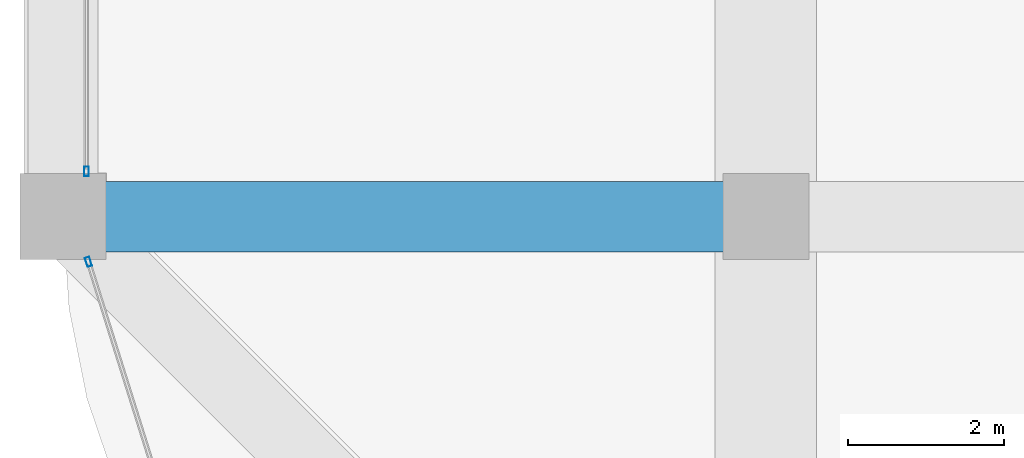
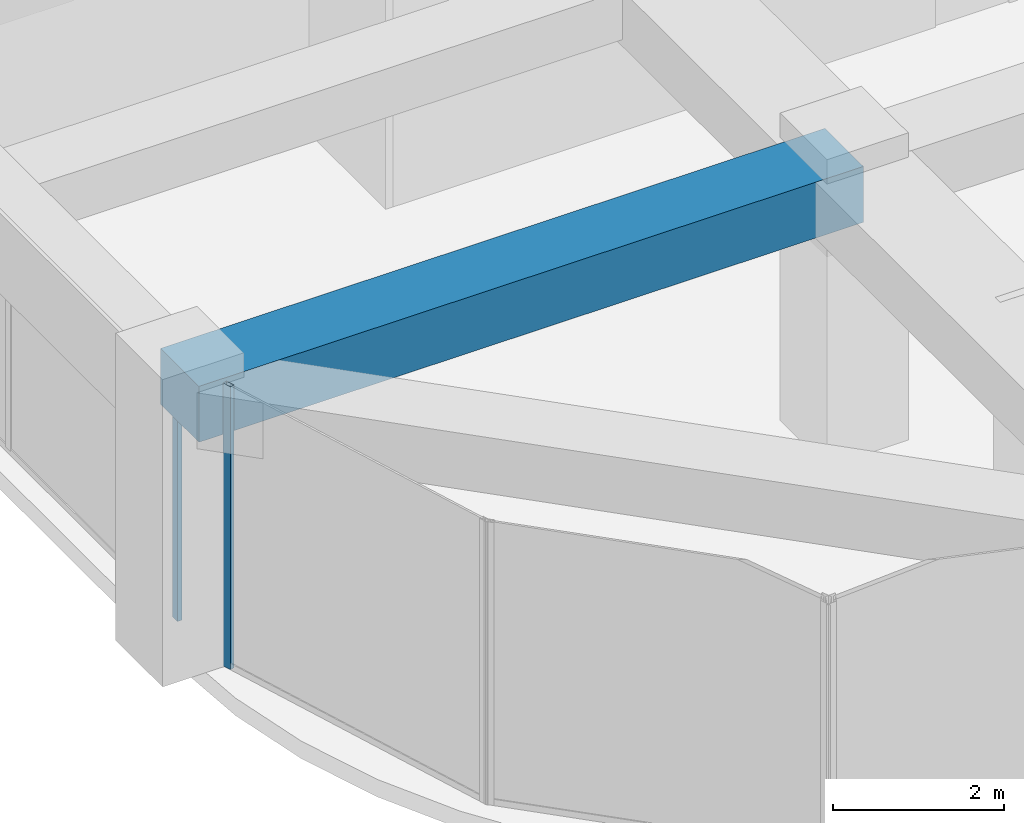
# One storey, part 6 of 44: 2 members, 1 beam, 2 elements without a shape of their own.
"""IFC4 building model written with IfcOpenShell, lengths in metres."""

from ifc_helpers import new_model, si_unit, direction, frame, origin, origin_2d, place, context, subcontext, project, spatial, rectangle, hollow_rectangle, extrude, material, material_profile, profile_set, type_object, element, aggregate, save


model = new_model("IFC4")

# Units and contexts
model_context = context("Model", 3, precision=1e-05, world=origin(), true_north=direction((0.0, 1.0)))
body_context = subcontext(model_context, "Body", "Model", "MODEL_VIEW")
ifc_project = project(units=[si_unit("LENGTHUNIT", "METRE"), si_unit("AREAUNIT", "SQUARE_METRE"), si_unit("VOLUMEUNIT", "CUBIC_METRE"), si_unit("PLANEANGLEUNIT", "RADIAN"), si_unit("MASSUNIT", "GRAM", prefix="KILO")], contexts=[model_context])

# Site, building, storey
site_placement = place(None, origin())
site = spatial("IfcSite", under=ifc_project, at=site_placement, CompositionType="ELEMENT")
building_placement = place(site_placement, origin())
building = spatial("IfcBuilding", under=site, at=building_placement, Name="Zorevar Civic Tower", CompositionType="ELEMENT")
storey_placement = place(building_placement, frame((0.0, 0.0, 307.39990234375)))
storey = spatial("IfcBuildingStorey", under=building, at=storey_placement, Name="L75", CompositionType="ELEMENT", Elevation=307.39990234375)

# Beam
ifc_material_1 = material(Name="Concrete C50/60", Category="concrete")
ifc_material_profile_1 = material_profile(ifc_material_1, rectangle(XDim=0.89990234375, YDim=0.800048828125, at=origin_2d()), Name="RC 900x800")
ifc_profile_set_1 = profile_set([ifc_material_profile_1], Name="Concrete C50/60")
beam_type = type_object("IfcBeamType", Name="Beam RC 900x800", PredefinedType="BEAM", material=ifc_profile_set_1)
beam_placement = place(storey_placement, frame((9.0, 9.0, 3.650146484375), z_axis=(1.0, 0.0, 0.0), x_axis=(0.0, 1.0, 0.0)))
element("IfcBeam", 1, at=beam_placement, inside=storey, type_object=beam_type, Name="Girder RF", PredefinedType="BEAM", context=body_context, shape_type="SweptSolid", body=[
    extrude(rectangle(XDim=0.89990234375, YDim=0.800048828125, at=origin_2d()), origin(), (0.0, 0.0, 1.0), 9.0),
])

# Curtain wall, member
ifc_material_2 = material(Name="Dark grey solar-control glass in black aluminium frame", Category="aluminium")
curtain_wall_type = type_object("IfcCurtainWallType", Name="Curtain wall CW5 top zone", PredefinedType="NOTDEFINED", material=ifc_material_2)
curtain_wall_1_placement = place(storey_placement, origin())
curtain_wall_1 = element("IfcCurtainWall", 2, at=curtain_wall_1_placement, inside=storey, type_object=curtain_wall_type, Name="CW5 L75", PredefinedType="NOTDEFINED")
ifc_material_3 = material(Name="Aluminium, black anodised", Category="aluminium")
ifc_material_profile_2 = material_profile(ifc_material_3, hollow_rectangle(XDim=0.06005859375, YDim=0.1201171875, WallThickness=0.0029296875, at=origin_2d()), Name="AL 120x60x3")
ifc_profile_set_2 = profile_set([ifc_material_profile_2], Name="Aluminium, black anodised")
member_type = type_object("IfcMemberType", Name="CW5 mullion AL 120x60x3", PredefinedType="MULLION", material=ifc_profile_set_2)
member_1_placement = place(storey_placement, frame((9.300048828125, 9.580078125, 0.0), z_axis=(0.0, 0.0, 1.0), x_axis=(-1.0, 0.0, 0.0)))
member_1 = element("IfcMember", 3, at=member_1_placement, type_object=member_type, Name="CW5 mullion 1", PredefinedType="MULLION", context=body_context, shape_type="SweptSolid", body=[
    extrude(hollow_rectangle(XDim=0.06005859375, YDim=0.1201171875, WallThickness=0.0029296875, at=origin_2d()), origin(), (0.0, 0.0, 1.0), 3.25),
])
aggregate(curtain_wall_1, [member_1])

curtain_wall_2_placement = place(storey_placement, origin())
curtain_wall_2 = element("IfcCurtainWall", 4, at=curtain_wall_2_placement, inside=storey, type_object=curtain_wall_type, Name="CW5 L75", PredefinedType="NOTDEFINED")
member_2_placement = place(storey_placement, frame((9.326416015625, 8.42138671875, 0.0), z_axis=(0.0, 0.0, 1.0), x_axis=(0.954153437674, 0.299317920238, 0.0)))
member_2 = element("IfcMember", 5, at=member_2_placement, type_object=member_type, Name="CW5 mullion 1", PredefinedType="MULLION", context=body_context, shape_type="SweptSolid", body=[
    extrude(hollow_rectangle(XDim=0.06005859375, YDim=0.1201171875, WallThickness=0.0029296875, at=origin_2d()), origin(), (0.0, 0.0, 1.0), 4.050048828125),
])
aggregate(curtain_wall_2, [member_2])

save(model, "model.ifc")
